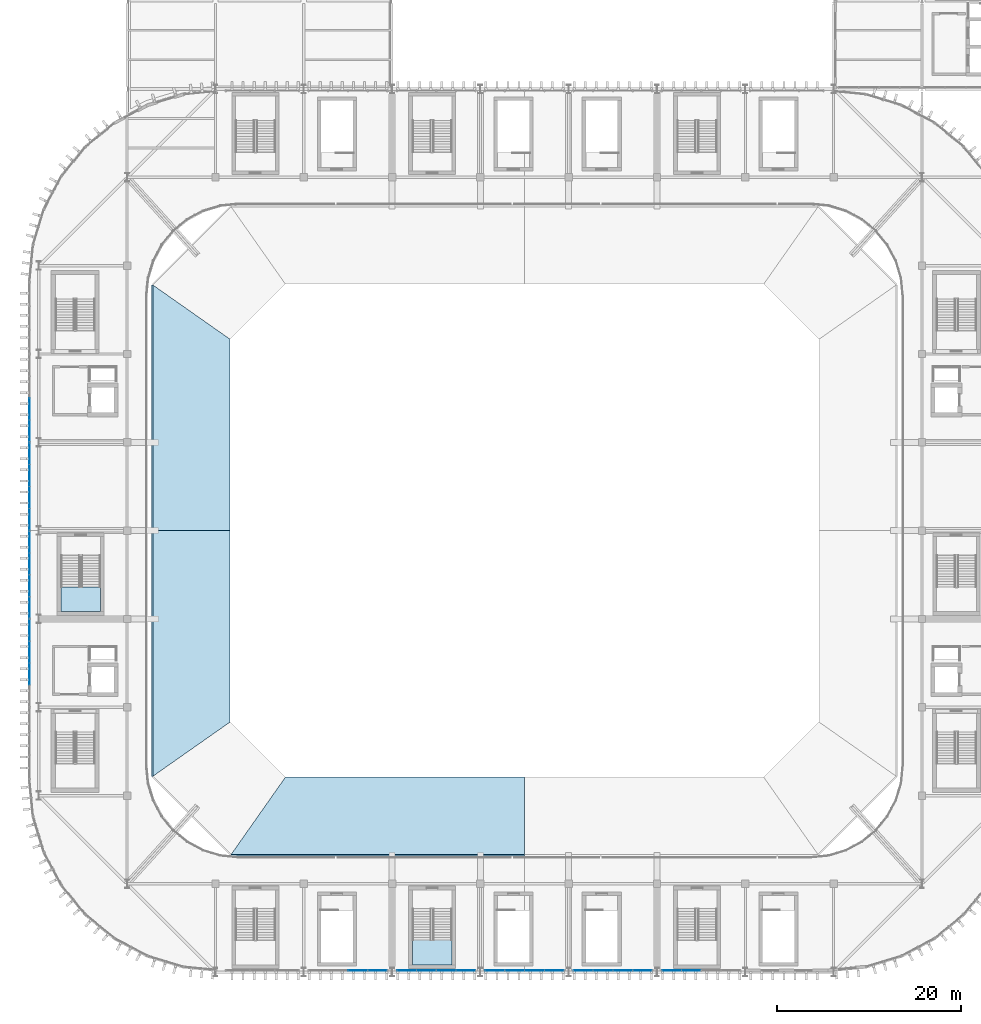
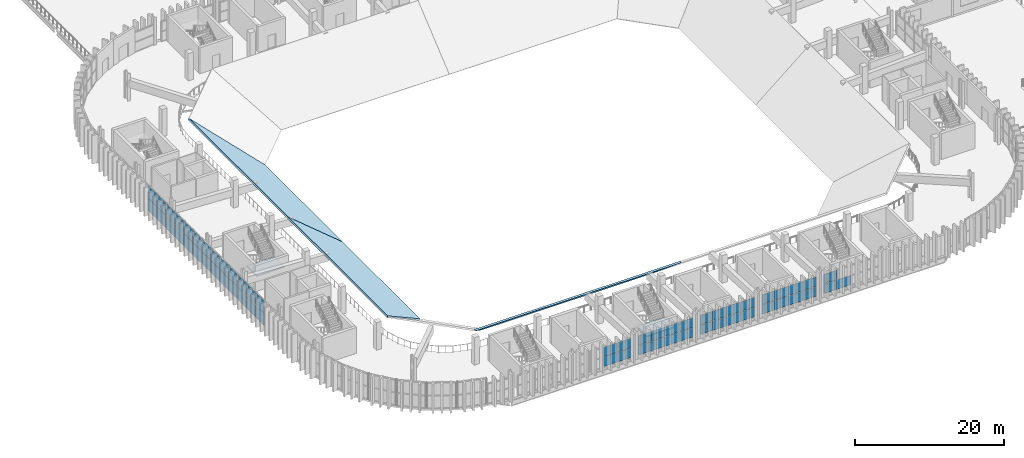
# One storey, part 36 of 69: 57 plates, 5 slabs, 11 elements without a shape of their own.
"""IFC4 building model written with IfcOpenShell, lengths in metres."""

from ifc_helpers import new_model, si_unit, direction, frame, origin, origin_2d, place, context, subcontext, project, spatial, polyline, rectangle, outline, extrude, material, layer, layer_set, type_object, element, aggregate, save


model = new_model("IFC4")

# Units and contexts
model_context = context("Model", 3, precision=1e-05, world=origin(), true_north=direction((0.0, 1.0)))
body_context = subcontext(model_context, "Body", "Model", "MODEL_VIEW")
ifc_project = project(units=[si_unit("LENGTHUNIT", "METRE"), si_unit("AREAUNIT", "SQUARE_METRE"), si_unit("VOLUMEUNIT", "CUBIC_METRE"), si_unit("PLANEANGLEUNIT", "RADIAN"), si_unit("MASSUNIT", "GRAM", prefix="KILO")], contexts=[model_context])

# Site, building, storey
site_placement = place(None, origin())
site = spatial("IfcSite", under=ifc_project, at=site_placement, CompositionType="ELEMENT")
building_placement = place(site_placement, origin())
building = spatial("IfcBuilding", under=site, at=building_placement, Name="Caelomonte Colonnade Arena", CompositionType="ELEMENT")
storey_placement = place(building_placement, frame((0.0, 0.0, 18.60009765625)))
storey = spatial("IfcBuildingStorey", under=building, at=storey_placement, Name="L04", CompositionType="ELEMENT", Elevation=18.60009765625)

# Curtain wall, plates
ifc_material_1 = material(Name="Bronze anodised aluminium and low-E glazing", Category="aluminium")
ifc_layer_1 = layer(ifc_material_1, 0.179931640625)
ifc_layer_set_1 = layer_set([ifc_layer_1], Name="Bronze anodised aluminium and low-E glazing")
curtain_wall_type_1 = type_object("IfcCurtainWallType", Name="ENV-CW-CW-L04-96-33", PredefinedType="USERDEFINED", material=ifc_layer_set_1)
curtain_wall_1_placement = place(storey_placement, origin())
curtain_wall_1 = element("IfcCurtainWall", 1, at=curtain_wall_1_placement, inside=storey, type_object=curtain_wall_type_1, Name="L04 unitized curtain wall CW-L04-0912-0194", ObjectType="UNITIZED CURTAIN WALL", PredefinedType="USERDEFINED")
ifc_material_2 = material(Name="Solar-control bronze low-E double glazing", Category="glass")
ifc_layer_2 = layer(ifc_material_2, 0.035888671875)
ifc_layer_set_2 = layer_set([ifc_layer_2], Name="Solar-control bronze low-E double glazing")
plate_type = type_object("IfcPlateType", Name="ENV-CW-PAN36", PredefinedType="CURTAIN_PANEL", material=ifc_layer_set_2)
plate_1_placement = place(storey_placement, frame((92.279052734375, 19.3798828125, 0.06982421875), z_axis=(0.0, 0.0, 1.0), x_axis=(1.0, 0.0, 0.0)))
plate_1 = element("IfcPlate", 2, at=plate_1_placement, type_object=plate_type, Name="CW-L04-96-33 panel 3.1", PredefinedType="CURTAIN_PANEL", context=body_context, shape_type="SweptSolid", body=[
    extrude(rectangle(XDim=2.088134765625, YDim=0.035888671875, at=origin_2d()), origin(), (0.0, 0.0, 1.0), 1.551513671875),
])
plate_2_placement = place(storey_placement, frame((92.279052734375, 19.3798828125, 1.69140625), z_axis=(0.0, 0.0, 1.0), x_axis=(1.0, 0.0, 0.0)))
plate_2 = element("IfcPlate", 3, at=plate_2_placement, type_object=plate_type, Name="CW-L04-96-33 panel 3.2", PredefinedType="CURTAIN_PANEL", context=body_context, shape_type="SweptSolid", body=[
    extrude(rectangle(XDim=2.088134765625, YDim=0.035888671875, at=origin_2d()), origin(), (0.0, 0.0, 1.0), 1.551513671875),
])
plate_3_placement = place(storey_placement, frame((94.419921875, 19.3798828125, 0.06982421875), z_axis=(0.0, 0.0, 1.0), x_axis=(1.0, 0.0, 0.0)))
plate_3 = element("IfcPlate", 4, at=plate_3_placement, type_object=plate_type, Name="CW-L04-96-33 panel 4.1", PredefinedType="CURTAIN_PANEL", context=body_context, shape_type="SweptSolid", body=[
    extrude(rectangle(XDim=2.05322265625, YDim=0.035888671875, at=origin_2d()), origin(), (0.0, 0.0, 1.0), 1.551513671875),
])
plate_4_placement = place(storey_placement, frame((94.419921875, 19.3798828125, 1.69140625), z_axis=(0.0, 0.0, 1.0), x_axis=(1.0, 0.0, 0.0)))
plate_4 = element("IfcPlate", 5, at=plate_4_placement, type_object=plate_type, Name="CW-L04-96-33 panel 4.2", PredefinedType="CURTAIN_PANEL", context=body_context, shape_type="SweptSolid", body=[
    extrude(rectangle(XDim=2.05322265625, YDim=0.035888671875, at=origin_2d()), origin(), (0.0, 0.0, 1.0), 1.551513671875),
])
aggregate(curtain_wall_1, [plate_1, plate_2, plate_3, plate_4])

curtain_wall_2_placement = place(storey_placement, origin())
curtain_wall_2 = element("IfcCurtainWall", 6, at=curtain_wall_2_placement, inside=storey, type_object=curtain_wall_type_1, Name="L04 unitized curtain wall CW-L04-1008-0194", ObjectType="UNITIZED CURTAIN WALL", PredefinedType="USERDEFINED")
plate_5_placement = place(storey_placement, frame((97.580078125, 19.3798828125, 0.06982421875), z_axis=(0.0, 0.0, 1.0), x_axis=(1.0, 0.0, 0.0)))
plate_5 = element("IfcPlate", 7, at=plate_5_placement, type_object=plate_type, Name="CW-L04-96-33 panel 1.1", PredefinedType="CURTAIN_PANEL", context=body_context, shape_type="SweptSolid", body=[
    extrude(rectangle(XDim=2.05322265625, YDim=0.035888671875, at=origin_2d()), origin(), (0.0, 0.0, 1.0), 1.551513671875),
])
plate_6_placement = place(storey_placement, frame((97.580078125, 19.3798828125, 1.69140625), z_axis=(0.0, 0.0, 1.0), x_axis=(1.0, 0.0, 0.0)))
plate_6 = element("IfcPlate", 8, at=plate_6_placement, type_object=plate_type, Name="CW-L04-96-33 panel 1.2", PredefinedType="CURTAIN_PANEL", context=body_context, shape_type="SweptSolid", body=[
    extrude(rectangle(XDim=2.05322265625, YDim=0.035888671875, at=origin_2d()), origin(), (0.0, 0.0, 1.0), 1.551513671875),
])
plate_7_placement = place(storey_placement, frame((99.720947265625, 19.3798828125, 0.06982421875), z_axis=(0.0, 0.0, 1.0), x_axis=(1.0, 0.0, 0.0)))
plate_7 = element("IfcPlate", 9, at=plate_7_placement, type_object=plate_type, Name="CW-L04-96-33 panel 2.1", PredefinedType="CURTAIN_PANEL", context=body_context, shape_type="SweptSolid", body=[
    extrude(rectangle(XDim=2.088134765625, YDim=0.035888671875, at=origin_2d()), origin(), (0.0, 0.0, 1.0), 1.551513671875),
])
plate_8_placement = place(storey_placement, frame((99.720947265625, 19.3798828125, 1.69140625), z_axis=(0.0, 0.0, 1.0), x_axis=(1.0, 0.0, 0.0)))
plate_8 = element("IfcPlate", 10, at=plate_8_placement, type_object=plate_type, Name="CW-L04-96-33 panel 2.2", PredefinedType="CURTAIN_PANEL", context=body_context, shape_type="SweptSolid", body=[
    extrude(rectangle(XDim=2.088134765625, YDim=0.035888671875, at=origin_2d()), origin(), (0.0, 0.0, 1.0), 1.551513671875),
])
plate_9_placement = place(storey_placement, frame((101.879150390625, 19.3798828125, 0.06982421875), z_axis=(0.0, 0.0, 1.0), x_axis=(1.0, 0.0, 0.0)))
plate_9 = element("IfcPlate", 11, at=plate_9_placement, type_object=plate_type, Name="CW-L04-96-33 panel 3.1", PredefinedType="CURTAIN_PANEL", context=body_context, shape_type="SweptSolid", body=[
    extrude(rectangle(XDim=2.088134765625, YDim=0.035888671875, at=origin_2d()), origin(), (0.0, 0.0, 1.0), 1.551513671875),
])
plate_10_placement = place(storey_placement, frame((101.879150390625, 19.3798828125, 1.69140625), z_axis=(0.0, 0.0, 1.0), x_axis=(1.0, 0.0, 0.0)))
plate_10 = element("IfcPlate", 12, at=plate_10_placement, type_object=plate_type, Name="CW-L04-96-33 panel 3.2", PredefinedType="CURTAIN_PANEL", context=body_context, shape_type="SweptSolid", body=[
    extrude(rectangle(XDim=2.088134765625, YDim=0.035888671875, at=origin_2d()), origin(), (0.0, 0.0, 1.0), 1.551513671875),
])
plate_11_placement = place(storey_placement, frame((104.019775390625, 19.3798828125, 0.06982421875), z_axis=(0.0, 0.0, 1.0), x_axis=(1.0, 0.0, 0.0)))
plate_11 = element("IfcPlate", 13, at=plate_11_placement, type_object=plate_type, Name="CW-L04-96-33 panel 4.1", PredefinedType="CURTAIN_PANEL", context=body_context, shape_type="SweptSolid", body=[
    extrude(rectangle(XDim=2.05322265625, YDim=0.035888671875, at=origin_2d()), origin(), (0.0, 0.0, 1.0), 1.551513671875),
])
plate_12_placement = place(storey_placement, frame((104.019775390625, 19.3798828125, 1.69140625), z_axis=(0.0, 0.0, 1.0), x_axis=(1.0, 0.0, 0.0)))
plate_12 = element("IfcPlate", 14, at=plate_12_placement, type_object=plate_type, Name="CW-L04-96-33 panel 4.2", PredefinedType="CURTAIN_PANEL", context=body_context, shape_type="SweptSolid", body=[
    extrude(rectangle(XDim=2.05322265625, YDim=0.035888671875, at=origin_2d()), origin(), (0.0, 0.0, 1.0), 1.551513671875),
])
aggregate(curtain_wall_2, [plate_5, plate_6, plate_7, plate_8, plate_9, plate_10, plate_11, plate_12])

curtain_wall_3_placement = place(storey_placement, origin())
curtain_wall_3 = element("IfcCurtainWall", 15, at=curtain_wall_3_placement, inside=storey, type_object=curtain_wall_type_1, Name="L04 unitized curtain wall CW-L04-1104-0194", ObjectType="UNITIZED CURTAIN WALL", PredefinedType="USERDEFINED")
plate_13_placement = place(storey_placement, frame((107.18017578125, 19.3798828125, 0.06982421875), z_axis=(0.0, 0.0, 1.0), x_axis=(1.0, 0.0, 0.0)))
plate_13 = element("IfcPlate", 16, at=plate_13_placement, type_object=plate_type, Name="CW-L04-96-33 panel 1.1", PredefinedType="CURTAIN_PANEL", context=body_context, shape_type="SweptSolid", body=[
    extrude(rectangle(XDim=2.05322265625, YDim=0.035888671875, at=origin_2d()), origin(), (0.0, 0.0, 1.0), 1.551513671875),
])
plate_14_placement = place(storey_placement, frame((107.18017578125, 19.3798828125, 1.69140625), z_axis=(0.0, 0.0, 1.0), x_axis=(1.0, 0.0, 0.0)))
plate_14 = element("IfcPlate", 17, at=plate_14_placement, type_object=plate_type, Name="CW-L04-96-33 panel 1.2", PredefinedType="CURTAIN_PANEL", context=body_context, shape_type="SweptSolid", body=[
    extrude(rectangle(XDim=2.05322265625, YDim=0.035888671875, at=origin_2d()), origin(), (0.0, 0.0, 1.0), 1.551513671875),
])
plate_15_placement = place(storey_placement, frame((109.32080078125, 19.3798828125, 0.06982421875), z_axis=(0.0, 0.0, 1.0), x_axis=(1.0, 0.0, 0.0)))
plate_15 = element("IfcPlate", 18, at=plate_15_placement, type_object=plate_type, Name="CW-L04-96-33 panel 2.1", PredefinedType="CURTAIN_PANEL", context=body_context, shape_type="SweptSolid", body=[
    extrude(rectangle(XDim=2.088134765625, YDim=0.035888671875, at=origin_2d()), origin(), (0.0, 0.0, 1.0), 1.551513671875),
])
plate_16_placement = place(storey_placement, frame((109.32080078125, 19.3798828125, 1.69140625), z_axis=(0.0, 0.0, 1.0), x_axis=(1.0, 0.0, 0.0)))
plate_16 = element("IfcPlate", 19, at=plate_16_placement, type_object=plate_type, Name="CW-L04-96-33 panel 2.2", PredefinedType="CURTAIN_PANEL", context=body_context, shape_type="SweptSolid", body=[
    extrude(rectangle(XDim=2.088134765625, YDim=0.035888671875, at=origin_2d()), origin(), (0.0, 0.0, 1.0), 1.551513671875),
])
plate_17_placement = place(storey_placement, frame((111.47900390625, 19.3798828125, 0.06982421875), z_axis=(0.0, 0.0, 1.0), x_axis=(1.0, 0.0, 0.0)))
plate_17 = element("IfcPlate", 20, at=plate_17_placement, type_object=plate_type, Name="CW-L04-96-33 panel 3.1", PredefinedType="CURTAIN_PANEL", context=body_context, shape_type="SweptSolid", body=[
    extrude(rectangle(XDim=2.088134765625, YDim=0.035888671875, at=origin_2d()), origin(), (0.0, 0.0, 1.0), 1.551513671875),
])
plate_18_placement = place(storey_placement, frame((111.47900390625, 19.3798828125, 1.69140625), z_axis=(0.0, 0.0, 1.0), x_axis=(1.0, 0.0, 0.0)))
plate_18 = element("IfcPlate", 21, at=plate_18_placement, type_object=plate_type, Name="CW-L04-96-33 panel 3.2", PredefinedType="CURTAIN_PANEL", context=body_context, shape_type="SweptSolid", body=[
    extrude(rectangle(XDim=2.088134765625, YDim=0.035888671875, at=origin_2d()), origin(), (0.0, 0.0, 1.0), 1.551513671875),
])
plate_19_placement = place(storey_placement, frame((113.619873046875, 19.3798828125, 0.06982421875), z_axis=(0.0, 0.0, 1.0), x_axis=(1.0, 0.0, 0.0)))
plate_19 = element("IfcPlate", 22, at=plate_19_placement, type_object=plate_type, Name="CW-L04-96-33 panel 4.1", PredefinedType="CURTAIN_PANEL", context=body_context, shape_type="SweptSolid", body=[
    extrude(rectangle(XDim=2.05322265625, YDim=0.035888671875, at=origin_2d()), origin(), (0.0, 0.0, 1.0), 1.551513671875),
])
plate_20_placement = place(storey_placement, frame((113.619873046875, 19.3798828125, 1.69140625), z_axis=(0.0, 0.0, 1.0), x_axis=(1.0, 0.0, 0.0)))
plate_20 = element("IfcPlate", 23, at=plate_20_placement, type_object=plate_type, Name="CW-L04-96-33 panel 4.2", PredefinedType="CURTAIN_PANEL", context=body_context, shape_type="SweptSolid", body=[
    extrude(rectangle(XDim=2.05322265625, YDim=0.035888671875, at=origin_2d()), origin(), (0.0, 0.0, 1.0), 1.551513671875),
])
aggregate(curtain_wall_3, [plate_13, plate_14, plate_15, plate_16, plate_17, plate_18, plate_19, plate_20])

curtain_wall_4_placement = place(storey_placement, origin())
curtain_wall_4 = element("IfcCurtainWall", 24, at=curtain_wall_4_placement, inside=storey, type_object=curtain_wall_type_1, Name="L04 unitized curtain wall CW-L04-1200-0194", ObjectType="UNITIZED CURTAIN WALL", PredefinedType="USERDEFINED")
plate_21_placement = place(storey_placement, frame((116.780029296875, 19.3798828125, 0.06982421875), z_axis=(0.0, 0.0, 1.0), x_axis=(1.0, 0.0, 0.0)))
plate_21 = element("IfcPlate", 25, at=plate_21_placement, type_object=plate_type, Name="CW-L04-96-33 panel 1.1", PredefinedType="CURTAIN_PANEL", context=body_context, shape_type="SweptSolid", body=[
    extrude(rectangle(XDim=2.05322265625, YDim=0.035888671875, at=origin_2d()), origin(), (0.0, 0.0, 1.0), 1.551513671875),
])
plate_22_placement = place(storey_placement, frame((116.780029296875, 19.3798828125, 1.69140625), z_axis=(0.0, 0.0, 1.0), x_axis=(1.0, 0.0, 0.0)))
plate_22 = element("IfcPlate", 26, at=plate_22_placement, type_object=plate_type, Name="CW-L04-96-33 panel 1.2", PredefinedType="CURTAIN_PANEL", context=body_context, shape_type="SweptSolid", body=[
    extrude(rectangle(XDim=2.05322265625, YDim=0.035888671875, at=origin_2d()), origin(), (0.0, 0.0, 1.0), 1.551513671875),
])
plate_23_placement = place(storey_placement, frame((118.9208984375, 19.3798828125, 0.06982421875), z_axis=(0.0, 0.0, 1.0), x_axis=(1.0, 0.0, 0.0)))
plate_23 = element("IfcPlate", 27, at=plate_23_placement, type_object=plate_type, Name="CW-L04-96-33 panel 2.1", PredefinedType="CURTAIN_PANEL", context=body_context, shape_type="SweptSolid", body=[
    extrude(rectangle(XDim=2.088134765625, YDim=0.035888671875, at=origin_2d()), origin(), (0.0, 0.0, 1.0), 1.551513671875),
])
plate_24_placement = place(storey_placement, frame((118.9208984375, 19.3798828125, 1.69140625), z_axis=(0.0, 0.0, 1.0), x_axis=(1.0, 0.0, 0.0)))
plate_24 = element("IfcPlate", 28, at=plate_24_placement, type_object=plate_type, Name="CW-L04-96-33 panel 2.2", PredefinedType="CURTAIN_PANEL", context=body_context, shape_type="SweptSolid", body=[
    extrude(rectangle(XDim=2.088134765625, YDim=0.035888671875, at=origin_2d()), origin(), (0.0, 0.0, 1.0), 1.551513671875),
])
plate_25_placement = place(storey_placement, frame((121.0791015625, 19.3798828125, 0.06982421875), z_axis=(0.0, 0.0, 1.0), x_axis=(1.0, 0.0, 0.0)))
plate_25 = element("IfcPlate", 29, at=plate_25_placement, type_object=plate_type, Name="CW-L04-96-33 panel 3.1", PredefinedType="CURTAIN_PANEL", context=body_context, shape_type="SweptSolid", body=[
    extrude(rectangle(XDim=2.088134765625, YDim=0.035888671875, at=origin_2d()), origin(), (0.0, 0.0, 1.0), 1.551513671875),
])
plate_26_placement = place(storey_placement, frame((121.0791015625, 19.3798828125, 1.69140625), z_axis=(0.0, 0.0, 1.0), x_axis=(1.0, 0.0, 0.0)))
plate_26 = element("IfcPlate", 30, at=plate_26_placement, type_object=plate_type, Name="CW-L04-96-33 panel 3.2", PredefinedType="CURTAIN_PANEL", context=body_context, shape_type="SweptSolid", body=[
    extrude(rectangle(XDim=2.088134765625, YDim=0.035888671875, at=origin_2d()), origin(), (0.0, 0.0, 1.0), 1.551513671875),
])
plate_27_placement = place(storey_placement, frame((123.219970703125, 19.3798828125, 0.06982421875), z_axis=(0.0, 0.0, 1.0), x_axis=(1.0, 0.0, 0.0)))
plate_27 = element("IfcPlate", 31, at=plate_27_placement, type_object=plate_type, Name="CW-L04-96-33 panel 4.1", PredefinedType="CURTAIN_PANEL", context=body_context, shape_type="SweptSolid", body=[
    extrude(rectangle(XDim=2.05322265625, YDim=0.035888671875, at=origin_2d()), origin(), (0.0, 0.0, 1.0), 1.551513671875),
])
plate_28_placement = place(storey_placement, frame((123.219970703125, 19.3798828125, 1.69140625), z_axis=(0.0, 0.0, 1.0), x_axis=(1.0, 0.0, 0.0)))
plate_28 = element("IfcPlate", 32, at=plate_28_placement, type_object=plate_type, Name="CW-L04-96-33 panel 4.2", PredefinedType="CURTAIN_PANEL", context=body_context, shape_type="SweptSolid", body=[
    extrude(rectangle(XDim=2.05322265625, YDim=0.035888671875, at=origin_2d()), origin(), (0.0, 0.0, 1.0), 1.551513671875),
])
aggregate(curtain_wall_4, [plate_21, plate_22, plate_23, plate_24, plate_25, plate_26, plate_27, plate_28])

curtain_wall_5_placement = place(storey_placement, origin())
curtain_wall_5 = element("IfcCurtainWall", 33, at=curtain_wall_5_placement, inside=storey, type_object=curtain_wall_type_1, Name="L04 unitized curtain wall CW-L04-1296-0194", ObjectType="UNITIZED CURTAIN WALL", PredefinedType="USERDEFINED")
plate_29_placement = place(storey_placement, frame((126.380126953125, 19.3798828125, 0.06982421875), z_axis=(0.0, 0.0, 1.0), x_axis=(1.0, 0.0, 0.0)))
plate_29 = element("IfcPlate", 34, at=plate_29_placement, type_object=plate_type, Name="CW-L04-96-33 panel 1.1", PredefinedType="CURTAIN_PANEL", context=body_context, shape_type="SweptSolid", body=[
    extrude(rectangle(XDim=2.05322265625, YDim=0.035888671875, at=origin_2d()), origin(), (0.0, 0.0, 1.0), 1.551513671875),
])
plate_30_placement = place(storey_placement, frame((126.380126953125, 19.3798828125, 1.69140625), z_axis=(0.0, 0.0, 1.0), x_axis=(1.0, 0.0, 0.0)))
plate_30 = element("IfcPlate", 35, at=plate_30_placement, type_object=plate_type, Name="CW-L04-96-33 panel 1.2", PredefinedType="CURTAIN_PANEL", context=body_context, shape_type="SweptSolid", body=[
    extrude(rectangle(XDim=2.05322265625, YDim=0.035888671875, at=origin_2d()), origin(), (0.0, 0.0, 1.0), 1.551513671875),
])
plate_31_placement = place(storey_placement, frame((128.520751953125, 19.3798828125, 0.06982421875), z_axis=(0.0, 0.0, 1.0), x_axis=(1.0, 0.0, 0.0)))
plate_31 = element("IfcPlate", 36, at=plate_31_placement, type_object=plate_type, Name="CW-L04-96-33 panel 2.1", PredefinedType="CURTAIN_PANEL", context=body_context, shape_type="SweptSolid", body=[
    extrude(rectangle(XDim=2.088134765625, YDim=0.035888671875, at=origin_2d()), origin(), (0.0, 0.0, 1.0), 1.551513671875),
])
aggregate(curtain_wall_5, [plate_29, plate_30, plate_31])

ifc_layer_3 = layer(ifc_material_1, 0.179931640625)
ifc_layer_set_3 = layer_set([ifc_layer_3], Name="Bronze anodised aluminium and low-E glazing")
curtain_wall_type_2 = type_object("IfcCurtainWallType", Name="ENV-CW-CW-L04-96-42", PredefinedType="USERDEFINED", material=ifc_layer_set_3)
curtain_wall_6_placement = place(storey_placement, origin())
curtain_wall_6 = element("IfcCurtainWall", 37, at=curtain_wall_6_placement, inside=storey, type_object=curtain_wall_type_2, Name="L04 unitized curtain wall CW-L04-0566-0816", ObjectType="UNITIZED CURTAIN WALL", PredefinedType="USERDEFINED")
plate_32_placement = place(storey_placement, frame((56.580078125, 80.409912109375, 0.06982421875), z_axis=(0.0, 0.0, 1.0), x_axis=(0.0, -1.0, 0.0)))
plate_32 = element("IfcPlate", 38, at=plate_32_placement, type_object=plate_type, Name="CW-L04-96-42 panel 3.1", PredefinedType="CURTAIN_PANEL", context=body_context, shape_type="SweptSolid", body=[
    extrude(rectangle(XDim=2.31005859375, YDim=0.035888671875, at=origin_2d()), origin(), (0.0, 0.0, 1.0), 2.014892578125),
])
plate_33_placement = place(storey_placement, frame((56.580078125, 80.409912109375, 2.15478515625), z_axis=(0.0, 0.0, 1.0), x_axis=(0.0, -1.0, 0.0)))
plate_33 = element("IfcPlate", 39, at=plate_33_placement, type_object=plate_type, Name="CW-L04-96-42 panel 3.2", PredefinedType="CURTAIN_PANEL", context=body_context, shape_type="SweptSolid", body=[
    extrude(rectangle(XDim=2.31005859375, YDim=0.035888671875, at=origin_2d()), origin(), (0.0, 0.0, 1.0), 2.014892578125),
])
plate_34_placement = place(storey_placement, frame((56.580078125, 78.047607421875, 0.06982421875), z_axis=(0.0, 0.0, 1.0), x_axis=(0.0, -1.0, 0.0)))
plate_34 = element("IfcPlate", 40, at=plate_34_placement, type_object=plate_type, Name="CW-L04-96-42 panel 4.1", PredefinedType="CURTAIN_PANEL", context=body_context, shape_type="SweptSolid", body=[
    extrude(rectangle(XDim=2.27490234375, YDim=0.035888671875, at=origin_2d()), origin(), (0.0, 0.0, 1.0), 2.014892578125),
])
plate_35_placement = place(storey_placement, frame((56.580078125, 78.047607421875, 2.15478515625), z_axis=(0.0, 0.0, 1.0), x_axis=(0.0, -1.0, 0.0)))
plate_35 = element("IfcPlate", 41, at=plate_35_placement, type_object=plate_type, Name="CW-L04-96-42 panel 4.2", PredefinedType="CURTAIN_PANEL", context=body_context, shape_type="SweptSolid", body=[
    extrude(rectangle(XDim=2.27490234375, YDim=0.035888671875, at=origin_2d()), origin(), (0.0, 0.0, 1.0), 2.014892578125),
])
aggregate(curtain_wall_6, [plate_32, plate_33, plate_34, plate_35])

curtain_wall_7_placement = place(storey_placement, origin())
curtain_wall_7 = element("IfcCurtainWall", 42, at=curtain_wall_7_placement, inside=storey, type_object=curtain_wall_type_2, Name="L04 unitized curtain wall CW-L04-0566-0720", ObjectType="UNITIZED CURTAIN WALL", PredefinedType="USERDEFINED")
plate_36_placement = place(storey_placement, frame((56.580078125, 75.552490234375, 0.06982421875), z_axis=(0.0, 0.0, 1.0), x_axis=(0.0, -1.0, 0.0)))
plate_36 = element("IfcPlate", 43, at=plate_36_placement, type_object=plate_type, Name="CW-L04-96-42 panel 1.1", PredefinedType="CURTAIN_PANEL", context=body_context, shape_type="SweptSolid", body=[
    extrude(rectangle(XDim=2.27490234375, YDim=0.035888671875, at=origin_2d()), origin(), (0.0, 0.0, 1.0), 2.014892578125),
])
plate_37_placement = place(storey_placement, frame((56.580078125, 75.552490234375, 2.15478515625), z_axis=(0.0, 0.0, 1.0), x_axis=(0.0, -1.0, 0.0)))
plate_37 = element("IfcPlate", 44, at=plate_37_placement, type_object=plate_type, Name="CW-L04-96-42 panel 1.2", PredefinedType="CURTAIN_PANEL", context=body_context, shape_type="SweptSolid", body=[
    extrude(rectangle(XDim=2.27490234375, YDim=0.035888671875, at=origin_2d()), origin(), (0.0, 0.0, 1.0), 2.014892578125),
])
plate_38_placement = place(storey_placement, frame((56.580078125, 73.18994140625, 0.06982421875), z_axis=(0.0, 0.0, 1.0), x_axis=(0.0, -1.0, 0.0)))
plate_38 = element("IfcPlate", 45, at=plate_38_placement, type_object=plate_type, Name="CW-L04-96-42 panel 2.1", PredefinedType="CURTAIN_PANEL", context=body_context, shape_type="SweptSolid", body=[
    extrude(rectangle(XDim=2.31005859375, YDim=0.035888671875, at=origin_2d()), origin(), (0.0, 0.0, 1.0), 2.014892578125),
])
plate_39_placement = place(storey_placement, frame((56.580078125, 73.18994140625, 2.15478515625), z_axis=(0.0, 0.0, 1.0), x_axis=(0.0, -1.0, 0.0)))
plate_39 = element("IfcPlate", 46, at=plate_39_placement, type_object=plate_type, Name="CW-L04-96-42 panel 2.2", PredefinedType="CURTAIN_PANEL", context=body_context, shape_type="SweptSolid", body=[
    extrude(rectangle(XDim=2.31005859375, YDim=0.035888671875, at=origin_2d()), origin(), (0.0, 0.0, 1.0), 2.014892578125),
])
plate_40_placement = place(storey_placement, frame((56.580078125, 70.81005859375, 0.06982421875), z_axis=(0.0, 0.0, 1.0), x_axis=(0.0, -1.0, 0.0)))
plate_40 = element("IfcPlate", 47, at=plate_40_placement, type_object=plate_type, Name="CW-L04-96-42 panel 3.1", PredefinedType="CURTAIN_PANEL", context=body_context, shape_type="SweptSolid", body=[
    extrude(rectangle(XDim=2.31005859375, YDim=0.035888671875, at=origin_2d()), origin(), (0.0, 0.0, 1.0), 2.014892578125),
])
plate_41_placement = place(storey_placement, frame((56.580078125, 70.81005859375, 2.15478515625), z_axis=(0.0, 0.0, 1.0), x_axis=(0.0, -1.0, 0.0)))
plate_41 = element("IfcPlate", 48, at=plate_41_placement, type_object=plate_type, Name="CW-L04-96-42 panel 3.2", PredefinedType="CURTAIN_PANEL", context=body_context, shape_type="SweptSolid", body=[
    extrude(rectangle(XDim=2.31005859375, YDim=0.035888671875, at=origin_2d()), origin(), (0.0, 0.0, 1.0), 2.014892578125),
])
plate_42_placement = place(storey_placement, frame((56.580078125, 68.447509765625, 0.06982421875), z_axis=(0.0, 0.0, 1.0), x_axis=(0.0, -1.0, 0.0)))
plate_42 = element("IfcPlate", 49, at=plate_42_placement, type_object=plate_type, Name="CW-L04-96-42 panel 4.1", PredefinedType="CURTAIN_PANEL", context=body_context, shape_type="SweptSolid", body=[
    extrude(rectangle(XDim=2.27490234375, YDim=0.035888671875, at=origin_2d()), origin(), (0.0, 0.0, 1.0), 2.014892578125),
])
plate_43_placement = place(storey_placement, frame((56.580078125, 68.447509765625, 2.15478515625), z_axis=(0.0, 0.0, 1.0), x_axis=(0.0, -1.0, 0.0)))
plate_43 = element("IfcPlate", 50, at=plate_43_placement, type_object=plate_type, Name="CW-L04-96-42 panel 4.2", PredefinedType="CURTAIN_PANEL", context=body_context, shape_type="SweptSolid", body=[
    extrude(rectangle(XDim=2.27490234375, YDim=0.035888671875, at=origin_2d()), origin(), (0.0, 0.0, 1.0), 2.014892578125),
])
aggregate(curtain_wall_7, [plate_36, plate_37, plate_38, plate_39, plate_40, plate_41, plate_42, plate_43])

curtain_wall_8_placement = place(storey_placement, origin())
curtain_wall_8 = element("IfcCurtainWall", 51, at=curtain_wall_8_placement, inside=storey, type_object=curtain_wall_type_2, Name="L04 unitized curtain wall CW-L04-0566-0624", ObjectType="UNITIZED CURTAIN WALL", PredefinedType="USERDEFINED")
plate_44_placement = place(storey_placement, frame((56.580078125, 65.952392578125, 0.06982421875), z_axis=(0.0, 0.0, 1.0), x_axis=(0.0, -1.0, 0.0)))
plate_44 = element("IfcPlate", 52, at=plate_44_placement, type_object=plate_type, Name="CW-L04-96-42 panel 1.1", PredefinedType="CURTAIN_PANEL", context=body_context, shape_type="SweptSolid", body=[
    extrude(rectangle(XDim=2.27490234375, YDim=0.035888671875, at=origin_2d()), origin(), (0.0, 0.0, 1.0), 2.014892578125),
])
plate_45_placement = place(storey_placement, frame((56.580078125, 65.952392578125, 2.15478515625), z_axis=(0.0, 0.0, 1.0), x_axis=(0.0, -1.0, 0.0)))
plate_45 = element("IfcPlate", 53, at=plate_45_placement, type_object=plate_type, Name="CW-L04-96-42 panel 1.2", PredefinedType="CURTAIN_PANEL", context=body_context, shape_type="SweptSolid", body=[
    extrude(rectangle(XDim=2.27490234375, YDim=0.035888671875, at=origin_2d()), origin(), (0.0, 0.0, 1.0), 2.014892578125),
])
plate_46_placement = place(storey_placement, frame((56.580078125, 63.590087890625, 0.06982421875), z_axis=(0.0, 0.0, 1.0), x_axis=(0.0, -1.0, 0.0)))
plate_46 = element("IfcPlate", 54, at=plate_46_placement, type_object=plate_type, Name="CW-L04-96-42 panel 2.1", PredefinedType="CURTAIN_PANEL", context=body_context, shape_type="SweptSolid", body=[
    extrude(rectangle(XDim=2.31005859375, YDim=0.035888671875, at=origin_2d()), origin(), (0.0, 0.0, 1.0), 2.014892578125),
])
plate_47_placement = place(storey_placement, frame((56.580078125, 63.590087890625, 2.15478515625), z_axis=(0.0, 0.0, 1.0), x_axis=(0.0, -1.0, 0.0)))
plate_47 = element("IfcPlate", 55, at=plate_47_placement, type_object=plate_type, Name="CW-L04-96-42 panel 2.2", PredefinedType="CURTAIN_PANEL", context=body_context, shape_type="SweptSolid", body=[
    extrude(rectangle(XDim=2.31005859375, YDim=0.035888671875, at=origin_2d()), origin(), (0.0, 0.0, 1.0), 2.014892578125),
])
plate_48_placement = place(storey_placement, frame((56.580078125, 61.2099609375, 0.06982421875), z_axis=(0.0, 0.0, 1.0), x_axis=(0.0, -1.0, 0.0)))
plate_48 = element("IfcPlate", 56, at=plate_48_placement, type_object=plate_type, Name="CW-L04-96-42 panel 3.1", PredefinedType="CURTAIN_PANEL", context=body_context, shape_type="SweptSolid", body=[
    extrude(rectangle(XDim=2.31005859375, YDim=0.035888671875, at=origin_2d()), origin(), (0.0, 0.0, 1.0), 2.014892578125),
])
plate_49_placement = place(storey_placement, frame((56.580078125, 61.2099609375, 2.15478515625), z_axis=(0.0, 0.0, 1.0), x_axis=(0.0, -1.0, 0.0)))
plate_49 = element("IfcPlate", 57, at=plate_49_placement, type_object=plate_type, Name="CW-L04-96-42 panel 3.2", PredefinedType="CURTAIN_PANEL", context=body_context, shape_type="SweptSolid", body=[
    extrude(rectangle(XDim=2.31005859375, YDim=0.035888671875, at=origin_2d()), origin(), (0.0, 0.0, 1.0), 2.014892578125),
])
plate_50_placement = place(storey_placement, frame((56.580078125, 58.847412109375, 0.06982421875), z_axis=(0.0, 0.0, 1.0), x_axis=(0.0, -1.0, 0.0)))
plate_50 = element("IfcPlate", 58, at=plate_50_placement, type_object=plate_type, Name="CW-L04-96-42 panel 4.1", PredefinedType="CURTAIN_PANEL", context=body_context, shape_type="SweptSolid", body=[
    extrude(rectangle(XDim=2.27490234375, YDim=0.035888671875, at=origin_2d()), origin(), (0.0, 0.0, 1.0), 2.014892578125),
])
plate_51_placement = place(storey_placement, frame((56.580078125, 58.847412109375, 2.15478515625), z_axis=(0.0, 0.0, 1.0), x_axis=(0.0, -1.0, 0.0)))
plate_51 = element("IfcPlate", 59, at=plate_51_placement, type_object=plate_type, Name="CW-L04-96-42 panel 4.2", PredefinedType="CURTAIN_PANEL", context=body_context, shape_type="SweptSolid", body=[
    extrude(rectangle(XDim=2.27490234375, YDim=0.035888671875, at=origin_2d()), origin(), (0.0, 0.0, 1.0), 2.014892578125),
])
aggregate(curtain_wall_8, [plate_44, plate_45, plate_46, plate_47, plate_48, plate_49, plate_50, plate_51])

curtain_wall_9_placement = place(storey_placement, origin())
curtain_wall_9 = element("IfcCurtainWall", 60, at=curtain_wall_9_placement, inside=storey, type_object=curtain_wall_type_2, Name="L04 unitized curtain wall CW-L04-0566-0528", ObjectType="UNITIZED CURTAIN WALL", PredefinedType="USERDEFINED")
plate_52_placement = place(storey_placement, frame((56.580078125, 56.3525390625, 0.06982421875), z_axis=(0.0, 0.0, 1.0), x_axis=(0.0, -1.0, 0.0)))
plate_52 = element("IfcPlate", 61, at=plate_52_placement, type_object=plate_type, Name="CW-L04-96-42 panel 1.1", PredefinedType="CURTAIN_PANEL", context=body_context, shape_type="SweptSolid", body=[
    extrude(rectangle(XDim=2.27490234375, YDim=0.035888671875, at=origin_2d()), origin(), (0.0, 0.0, 1.0), 2.014892578125),
])
plate_53_placement = place(storey_placement, frame((56.580078125, 56.3525390625, 2.15478515625), z_axis=(0.0, 0.0, 1.0), x_axis=(0.0, -1.0, 0.0)))
plate_53 = element("IfcPlate", 62, at=plate_53_placement, type_object=plate_type, Name="CW-L04-96-42 panel 1.2", PredefinedType="CURTAIN_PANEL", context=body_context, shape_type="SweptSolid", body=[
    extrude(rectangle(XDim=2.27490234375, YDim=0.035888671875, at=origin_2d()), origin(), (0.0, 0.0, 1.0), 2.014892578125),
])
plate_54_placement = place(storey_placement, frame((56.580078125, 53.989990234375, 0.06982421875), z_axis=(0.0, 0.0, 1.0), x_axis=(0.0, -1.0, 0.0)))
plate_54 = element("IfcPlate", 63, at=plate_54_placement, type_object=plate_type, Name="CW-L04-96-42 panel 2.1", PredefinedType="CURTAIN_PANEL", context=body_context, shape_type="SweptSolid", body=[
    extrude(rectangle(XDim=2.31005859375, YDim=0.035888671875, at=origin_2d()), origin(), (0.0, 0.0, 1.0), 2.014892578125),
])
plate_55_placement = place(storey_placement, frame((56.580078125, 53.989990234375, 2.15478515625), z_axis=(0.0, 0.0, 1.0), x_axis=(0.0, -1.0, 0.0)))
plate_55 = element("IfcPlate", 64, at=plate_55_placement, type_object=plate_type, Name="CW-L04-96-42 panel 2.2", PredefinedType="CURTAIN_PANEL", context=body_context, shape_type="SweptSolid", body=[
    extrude(rectangle(XDim=2.31005859375, YDim=0.035888671875, at=origin_2d()), origin(), (0.0, 0.0, 1.0), 2.014892578125),
])
plate_56_placement = place(storey_placement, frame((56.580078125, 51.610107421875, 0.06982421875), z_axis=(0.0, 0.0, 1.0), x_axis=(0.0, -1.0, 0.0)))
plate_56 = element("IfcPlate", 65, at=plate_56_placement, type_object=plate_type, Name="CW-L04-96-42 panel 3.1", PredefinedType="CURTAIN_PANEL", context=body_context, shape_type="SweptSolid", body=[
    extrude(rectangle(XDim=2.31005859375, YDim=0.035888671875, at=origin_2d()), origin(), (0.0, 0.0, 1.0), 2.014892578125),
])
plate_57_placement = place(storey_placement, frame((56.580078125, 51.610107421875, 2.15478515625), z_axis=(0.0, 0.0, 1.0), x_axis=(0.0, -1.0, 0.0)))
plate_57 = element("IfcPlate", 66, at=plate_57_placement, type_object=plate_type, Name="CW-L04-96-42 panel 3.2", PredefinedType="CURTAIN_PANEL", context=body_context, shape_type="SweptSolid", body=[
    extrude(rectangle(XDim=2.31005859375, YDim=0.035888671875, at=origin_2d()), origin(), (0.0, 0.0, 1.0), 2.014892578125),
])
aggregate(curtain_wall_9, [plate_52, plate_53, plate_54, plate_55, plate_56, plate_57])

# Stair, slab
ifc_material_3 = material(Name="Concrete C40/50", Category="concrete")
stair_type = type_object("IfcStairType", Name="INT-ST-CORE45", PredefinedType="HALF_TURN_STAIR", material=ifc_material_3)
stair_1_placement = place(storey_placement, origin())
stair_1 = element("IfcStair", 67, at=stair_1_placement, inside=storey, type_object=stair_type, Name="L04 Protected exit stair ST-09", PredefinedType="HALF_TURN_STAIR")
ifc_layer_4 = layer(ifc_material_3, 0.199951171875)
ifc_layer_set_4 = layer_set([ifc_layer_4], Name="Concrete C40/50")
slab_type_1 = type_object("IfcSlabType", Name="INT-SL-LAND20", PredefinedType="LANDING", material=ifc_layer_set_4)
slab_1_placement = place(storey_placement, frame((0.0, 0.0, 2.0498046875)))
slab_1 = element("IfcSlab", 68, at=slab_1_placement, type_object=slab_type_1, Name="ST-09 landing 1", PredefinedType="LANDING", context=body_context, shape_type="SweptSolid", body=[
    extrude(outline(polyline([(60.0, 61.080078125), (60.0, 58.39990234375), (64.300048828125, 58.39990234375), (64.300048828125, 61.080078125), (60.0, 61.080078125)])), origin(), (0.0, 0.0, 1.0), 0.2001953125),
])
aggregate(stair_1, [slab_1])

stair_2_placement = place(storey_placement, origin())
stair_2 = element("IfcStair", 69, at=stair_2_placement, inside=storey, type_object=stair_type, Name="L04 Protected exit stair ST-12", PredefinedType="HALF_TURN_STAIR")
slab_2_placement = place(storey_placement, frame((0.0, 0.0, 2.0498046875)))
slab_2 = element("IfcSlab", 70, at=slab_2_placement, type_object=slab_type_1, Name="ST-12 landing 1", PredefinedType="LANDING", context=body_context, shape_type="SweptSolid", body=[
    extrude(outline(polyline([(98.199951171875, 22.679931640625), (98.199951171875, 20.0), (102.5, 20.0), (102.5, 22.679931640625), (98.199951171875, 22.679931640625)])), origin(), (0.0, 0.0, 1.0), 0.2001953125),
])
aggregate(stair_2, [slab_2])

# Slabs
ifc_material_4 = material(Name="Precast concrete C40/50", Category="concrete")
ifc_layer_5 = layer(ifc_material_4, 0.25)
ifc_layer_set_5 = layer_set([ifc_layer_5], Name="Precast concrete C40/50")
slab_type_2 = type_object("IfcSlabType", Name="STR-SL-TIER25", PredefinedType="USERDEFINED", material=ifc_layer_set_5)
slab_3_placement = place(storey_placement, frame((84.39990234375, 40.39990234375, -4.0), z_axis=(0.0, 0.64018879205, 0.768217619255), x_axis=(1.0, 0.0, 0.0)))
element("IfcSlab", 71, at=slab_3_placement, inside=storey, type_object=slab_type_2, Name="Stand UPPER bowl seating tier sector S1", ObjectType="SEATING TIER", PredefinedType="USERDEFINED", context=body_context, shape_type="SweptSolid", body=[
    extrude(outline(polyline([(0.0, 0.0), (26.0, 0.0), (26.0, -10.934274524838708), (-5.89990234375, -10.934274524838708), (0.0, 0.0)])), origin(), (0.0, 0.0, -1.0), 0.25),
])
slab_4_placement = place(storey_placement, frame((78.39990234375, 88.0, -4.0), z_axis=(0.64018879205, 0.0, 0.768217619255), x_axis=(0.0, -1.0, 0.0)))
element("IfcSlab", 72, at=slab_4_placement, inside=storey, type_object=slab_type_2, Name="Stand UPPER bowl seating tier sector W1", ObjectType="SEATING TIER", PredefinedType="USERDEFINED", context=body_context, shape_type="SweptSolid", body=[
    extrude(outline(polyline([(0.0, 0.0), (20.800048828125, 0.0), (20.800048828125, -10.934274524838708), (-5.89990234375, -10.934274524838708), (0.0, 0.0)])), origin(), (0.0, 0.0, -1.0), 0.25),
])
slab_5_placement = place(storey_placement, frame((78.39990234375, 67.199951171875, -4.0), z_axis=(0.64018879205, 0.0, 0.768217619255), x_axis=(0.0, -1.0, 0.0)))
element("IfcSlab", 73, at=slab_5_placement, inside=storey, type_object=slab_type_2, Name="Stand UPPER bowl seating tier sector W2", ObjectType="SEATING TIER", PredefinedType="USERDEFINED", context=body_context, shape_type="SweptSolid", body=[
    extrude(outline(polyline([(0.0, 0.0), (20.800048828125, 0.0), (26.699951171875, -10.934274524838708), (0.0, -10.934274524838708), (0.0, 0.0)])), origin(), (0.0, 0.0, -1.0), 0.25),
])

save(model, "model.ifc")
